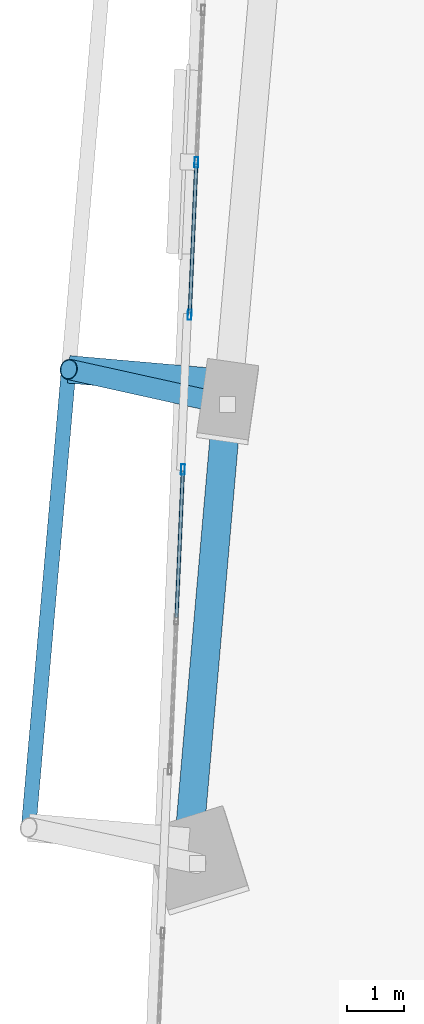
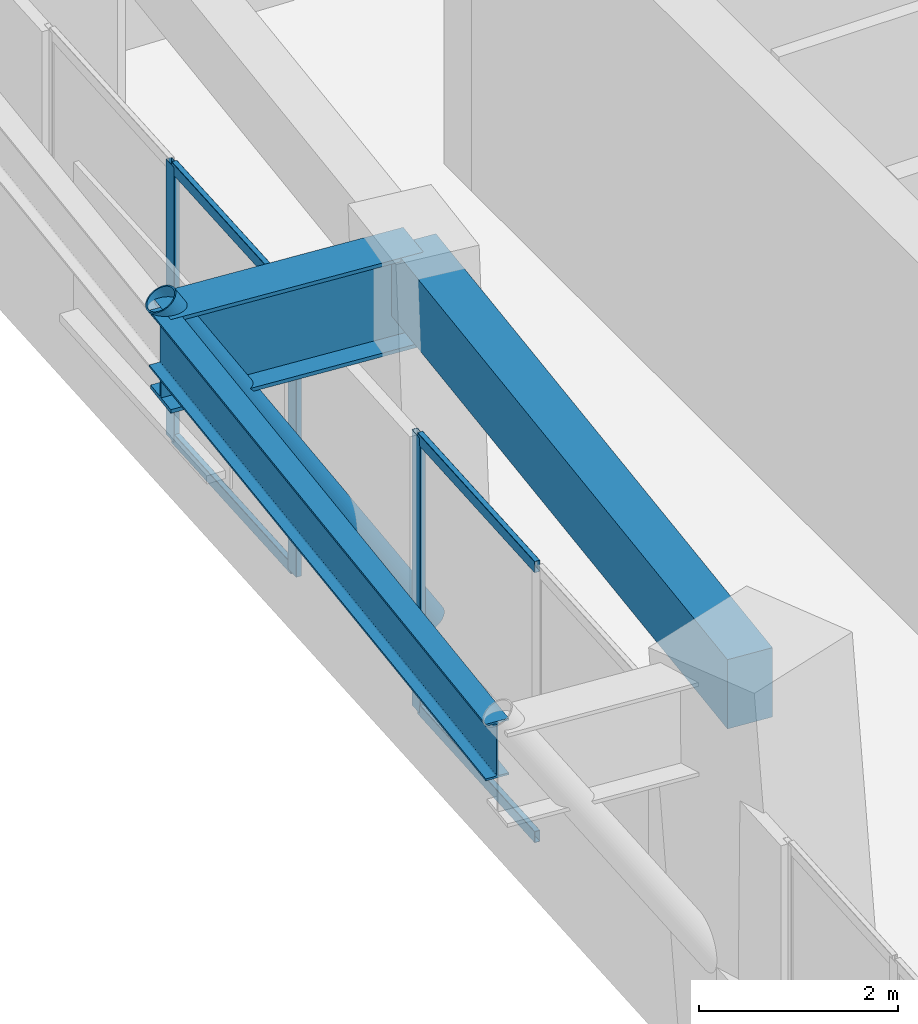
# One storey, part 7 of 26: 8 members, 3 beams, 2 elements without a shape of their own.
"""IFC4 building model written with IfcOpenShell, lengths in metres."""

from ifc_helpers import new_model, si_unit, direction, frame, origin, origin_2d, place, context, subcontext, project, spatial, rectangle, hollow_rectangle, hollow_circle, i_section, extrude, source, transform, mapped, material, material_profile, profile_set, type_object, element, aggregate, save


model = new_model("IFC4")

# Units and contexts
model_context = context("Model", 3, precision=1e-05, world=origin(), true_north=direction((0.0, 1.0)))
body_context = subcontext(model_context, "Body", "Model", "MODEL_VIEW")
ifc_project = project(units=[si_unit("LENGTHUNIT", "METRE"), si_unit("AREAUNIT", "SQUARE_METRE"), si_unit("VOLUMEUNIT", "CUBIC_METRE"), si_unit("PLANEANGLEUNIT", "RADIAN"), si_unit("MASSUNIT", "GRAM", prefix="KILO")], contexts=[model_context])

# Site, building, storey
site_placement = place(None, origin())
site = spatial("IfcSite", under=ifc_project, at=site_placement, CompositionType="ELEMENT")
building_placement = place(site_placement, origin())
building = spatial("IfcBuilding", under=site, at=building_placement, Name="Torre Montelarca", CompositionType="ELEMENT")
storey_placement = place(building_placement, frame((0.0, 0.0, 42.39990234375)))
storey = spatial("IfcBuildingStorey", under=building, at=storey_placement, Name="L09", CompositionType="ELEMENT", Elevation=42.39990234375)

# Member
ifc_material_1 = material(Name="Steel ASTM A500 Grade C", Category="steel")
ifc_material_profile_1 = material_profile(ifc_material_1, hollow_circle(Radius=0.177734375, WallThickness=0.015869140625, at=origin_2d()), Name="HSS355.6X15.9", Category="steel")
ifc_profile_set_1 = profile_set([ifc_material_profile_1], Name="Steel ASTM A500 Grade C")
member_type_1 = type_object("IfcMemberType", Name="MB-BR-CHS356-EXT", PredefinedType="BRACE", material=ifc_profile_set_1)
shared_shape_1 = source(origin(), body_context, "Body", "SweptSolid", [
    extrude(hollow_circle(Radius=0.177734375, WallThickness=0.015869140625, at=origin_2d()), origin(), (0.0, 0.0, 1.0), 5.3232421875),
])
member_1_placement = place(storey_placement, frame((4.68603515625, 33.10205078125, 0.150146484375), z_axis=(-0.51870757282, 0.114702709074, 0.847222368939), x_axis=(-0.215915688742, -0.976412011066, 0.0)))
element("IfcMember", 1, at=member_1_placement, inside=storey, type_object=member_type_1, Name="L10 Sliding Tray Exterior Diagonal Raker Strut W2", PredefinedType="BRACE", context=body_context, shape_type="MappedRepresentation", body=[
    mapped(shared_shape_1, transform((0.0, 0.0, 0.0), scale=1.0)),
])

# Beams
ifc_material_2 = material(Name="Concrete C55/67", Category="concrete")
ifc_material_profile_2 = material_profile(ifc_material_2, rectangle(XDim=0.5, YDim=0.85009765625, at=origin_2d()), Name="RCB500X850", Category="concrete")
ifc_profile_set_2 = profile_set([ifc_material_profile_2], Name="Concrete C55/67")
beam_type_1 = type_object("IfcBeamType", Name="BM-SP-RC850-EXT", PredefinedType="SPANDREL", material=ifc_profile_set_2)
shared_shape_2 = source(origin(), body_context, "Body", "SweptSolid", [
    extrude(rectangle(XDim=0.5, YDim=0.85009765625, at=origin_2d()), origin(), (0.0, 0.0, 1.0), 8.0),
])
beam_1_placement = place(storey_placement, frame((4.016845703125, 25.4990234375, 4.135009765625), z_axis=(0.087159000208, 0.996194413095, 0.0), x_axis=(-0.996194413095, 0.087159000208, 0.0)))
element("IfcBeam", 2, at=beam_1_placement, inside=storey, type_object=beam_type_1, Name="L09 Grid Girder Y 24.0-32.0 at X=4.7", PredefinedType="SPANDREL", context=body_context, shape_type="MappedRepresentation", body=[
    mapped(shared_shape_2, transform((0.0, 0.0, 0.0), scale=1.0)),
])
ifc_material_3 = material(Name="Steel ASTM A992 Grade 50", Category="steel")
ifc_material_profile_3 = material_profile(ifc_material_3, i_section(OverallWidth=0.256103515625, OverallDepth=0.693115234375, WebThickness=0.014404296875, FlangeThickness=0.023681640625, FilletRadius=0.01806640625, at=origin_2d()), Name="W690X170", Category="steel")
ifc_profile_set_3 = profile_set([ifc_material_profile_3], Name="Steel ASTM A992 Grade 50")
beam_type_2 = type_object("IfcBeamType", Name="BM-G-W690-EXT", PredefinedType="BEAM", material=ifc_profile_set_3)
shared_shape_3 = source(origin(), body_context, "Body", "SweptSolid", [
    extrude(i_section(OverallWidth=0.256103515625, OverallDepth=0.693115234375, WebThickness=0.014404296875, FlangeThickness=0.023681640625, FilletRadius=0.01806640625, at=origin_2d()), origin(), (0.0, 0.0, 1.0), 8.0),
])
beam_2_placement = place(storey_placement, frame((1.2275390625, 25.7431640625, 4.213134765625), z_axis=(0.087159000208, 0.996194413095, 0.0), x_axis=(-0.996194413095, 0.087159000208, 0.0)))
element("IfcBeam", 3, at=beam_2_placement, inside=storey, type_object=beam_type_2, Name="L09 Sliding Tray Edge Girder West 24.0-32.0m (FLR)", PredefinedType="BEAM", context=body_context, shape_type="MappedRepresentation", body=[
    mapped(shared_shape_3, transform((0.0, 0.0, 0.0), scale=1.0)),
])
ifc_material_4 = material(Name="Steel ASTM A572 Grade 50", Category="steel")
ifc_material_profile_4 = material_profile(ifc_material_4, i_section(OverallWidth=0.47998046875, OverallDepth=1.14990234375, WebThickness=0.02197265625, FlangeThickness=0.044921875, at=origin_2d()), Name="PG1150X480X22X45", Category="steel")
ifc_profile_set_4 = profile_set([ifc_material_profile_4], Name="Steel ASTM A572 Grade 50")
beam_type_3 = type_object("IfcBeamType", Name="BM-CG-PG1400-EXT", PredefinedType="USERDEFINED", material=ifc_profile_set_4)
shared_shape_4 = source(origin(), body_context, "Body", "SweptSolid", [
    extrude(i_section(OverallWidth=0.47998046875, OverallDepth=1.14990234375, WebThickness=0.02197265625, FlangeThickness=0.044921875, at=origin_2d()), origin(), (0.0, 0.0, 1.0), 2.800048828125),
])
beam_3_placement = place(storey_placement, frame((4.714111328125, 33.468505859375, 3.985107421875), z_axis=(-0.996191351034, 0.087193991338, 0.0), x_axis=(-0.087193991338, -0.996191351034, 0.0)))
element("IfcBeam", 4, at=beam_3_placement, inside=storey, type_object=beam_type_3, Name="L09 Sliding Tray Cantilever Girder West Y=32.0m (FLR)", ObjectType="CANTILEVER GIRDER", PredefinedType="USERDEFINED", context=body_context, shape_type="MappedRepresentation", body=[
    mapped(shared_shape_4, transform((0.0, 0.0, 0.0), scale=1.0)),
])

# Curtain wall, members
ifc_material_5 = material(Name="Insulated low-E laminated glass", Category="glass")
curtain_wall_type = type_object("IfcCurtainWallType", Name="CW-SYS-Z1", PredefinedType="USERDEFINED", material=ifc_material_5)
curtain_wall_1_placement = place(storey_placement, origin())
curtain_wall_1 = element("IfcCurtainWall", 5, at=curtain_wall_1_placement, inside=storey, type_object=curtain_wall_type, Name="L09 Curtain Wall Run CW-T3-L09-E10-B1", ObjectType="UNITISED GLAZING", PredefinedType="USERDEFINED")
ifc_material_6 = material(Name="Anodised aluminium AA 6063-T6", Category="aluminium")
ifc_material_profile_5 = material_profile(ifc_material_6, hollow_rectangle(XDim=0.06494140625, YDim=0.179931640625, WallThickness=0.00390625, InnerFilletRadius=0.00390625, OuterFilletRadius=0.008056640625, at=origin_2d()), Name="ALU65X180X4", Category="aluminium")
ifc_profile_set_5 = profile_set([ifc_material_profile_5], Name="Anodised aluminium AA 6063-T6")
member_type_2 = type_object("IfcMemberType", Name="CWM-ALU180", PredefinedType="MULLION", material=ifc_profile_set_5)
shared_shape_5 = source(origin(), body_context, "Body", "SweptSolid", [
    extrude(hollow_rectangle(XDim=0.06494140625, YDim=0.179931640625, WallThickness=0.00390625, InnerFilletRadius=0.00390625, OuterFilletRadius=0.008056640625, at=origin_2d()), origin(), (0.0, 0.0, 1.0), 3.375),
])
member_2_placement = place(storey_placement, frame((4.145263671875, 37.3125, 0.0), z_axis=(0.0, 0.0, 1.0), x_axis=(0.999048766401, -0.043606907162, 0.0)))
member_2 = element("IfcMember", 6, at=member_2_placement, type_object=member_type_2, Name="CW mullion 2", PredefinedType="MULLION", context=body_context, shape_type="MappedRepresentation", body=[
    mapped(shared_shape_5, transform((0.0, 0.0, 0.0), scale=1.0)),
])
member_3_placement = place(storey_placement, frame((4.029541015625, 34.662109375, 0.0), z_axis=(0.0, 0.0, 1.0), x_axis=(0.999048766401, -0.043606907162, 0.0)))
member_3 = element("IfcMember", 7, at=member_3_placement, type_object=member_type_2, Name="CW mullion 3", PredefinedType="MULLION", context=body_context, shape_type="MappedRepresentation", body=[
    mapped(shared_shape_5, transform((0.0, 0.0, 0.0), scale=1.0)),
])

# Curtain wall, member
curtain_wall_2_placement = place(storey_placement, origin())
curtain_wall_2 = element("IfcCurtainWall", 8, at=curtain_wall_2_placement, inside=storey, type_object=curtain_wall_type, Name="L09 Curtain Wall Run CW-T3-L09-E10-B2", ObjectType="UNITISED GLAZING", PredefinedType="USERDEFINED")
member_4_placement = place(storey_placement, frame((3.912109375, 31.97216796875, 0.0), z_axis=(0.0, 0.0, 1.0), x_axis=(0.999047793858, -0.04362918275, 0.0)))
member_4 = element("IfcMember", 9, at=member_4_placement, type_object=member_type_2, Name="CW mullion 1", PredefinedType="MULLION", context=body_context, shape_type="MappedRepresentation", body=[
    mapped(shared_shape_5, transform((0.0, 0.0, 0.0), scale=1.0)),
])

# Member
ifc_material_profile_6 = material_profile(ifc_material_6, hollow_rectangle(XDim=0.06494140625, YDim=0.139892578125, WallThickness=0.00390625, InnerFilletRadius=0.00390625, OuterFilletRadius=0.008056640625, at=origin_2d()), Name="ALU65X140X4", Category="aluminium")
ifc_profile_set_6 = profile_set([ifc_material_profile_6], Name="Anodised aluminium AA 6063-T6")
member_type_3 = type_object("IfcMemberType", Name="CWT-ALU140", PredefinedType="USERDEFINED", material=ifc_profile_set_6)
shared_shape_6 = source(origin(), body_context, "Body", "SweptSolid", [
    extrude(hollow_rectangle(XDim=0.06494140625, YDim=0.139892578125, WallThickness=0.00390625, InnerFilletRadius=0.00390625, OuterFilletRadius=0.008056640625, at=origin_2d()), origin(), (0.0, 0.0, 1.0), 2.587890625),
])
member_5_placement = place(storey_placement, frame((4.143798828125, 37.280029296875, 0.03271484375), z_axis=(-0.043584606201, -0.999049739554, 0.0), x_axis=(0.999049739554, -0.043584606201, 0.0)))
member_5 = element("IfcMember", 10, at=member_5_placement, type_object=member_type_3, Name="CW transom 2.1", ObjectType="TRANSOM", PredefinedType="USERDEFINED", context=body_context, shape_type="MappedRepresentation", body=[
    mapped(shared_shape_6, transform((0.0, 0.0, 0.0), scale=1.0)),
])

member_6_placement = place(storey_placement, frame((4.143798828125, 37.280029296875, 3.342529296875), z_axis=(-0.043584606201, -0.999049739554, 0.0), x_axis=(0.999049739554, -0.043584606201, 0.0)))
member_6 = element("IfcMember", 11, at=member_6_placement, type_object=member_type_3, Name="CW transom 2.2", ObjectType="TRANSOM", PredefinedType="USERDEFINED", context=body_context, shape_type="MappedRepresentation", body=[
    mapped(shared_shape_6, transform((0.0, 0.0, 0.0), scale=1.0)),
])

aggregate(curtain_wall_1, [member_2, member_3, member_5, member_6])

shared_shape_7 = source(origin(), body_context, "Body", "SweptSolid", [
    extrude(hollow_rectangle(XDim=0.06494140625, YDim=0.139892578125, WallThickness=0.00390625, InnerFilletRadius=0.00390625, OuterFilletRadius=0.008056640625, at=origin_2d()), origin(), (0.0, 0.0, 1.0), 2.54736328125),
])
member_7_placement = place(storey_placement, frame((3.91064453125, 31.939697265625, 0.03271484375), z_axis=(-0.043607748657, -0.999048729671, 0.0), x_axis=(0.999048729671, -0.043607748657, 0.0)))
member_7 = element("IfcMember", 12, at=member_7_placement, type_object=member_type_3, Name="CW transom 1.1", ObjectType="TRANSOM", PredefinedType="USERDEFINED", context=body_context, shape_type="MappedRepresentation", body=[
    mapped(shared_shape_7, transform((0.0, 0.0, 0.0), scale=1.0)),
])

member_8_placement = place(storey_placement, frame((3.91064453125, 31.939697265625, 3.342529296875), z_axis=(-0.043607748657, -0.999048729671, 0.0), x_axis=(0.999048729671, -0.043607748657, 0.0)))
member_8 = element("IfcMember", 13, at=member_8_placement, type_object=member_type_3, Name="CW transom 1.2", ObjectType="TRANSOM", PredefinedType="USERDEFINED", context=body_context, shape_type="MappedRepresentation", body=[
    mapped(shared_shape_7, transform((0.0, 0.0, 0.0), scale=1.0)),
])

aggregate(curtain_wall_2, [member_4, member_7, member_8])

save(model, "model.ifc")
